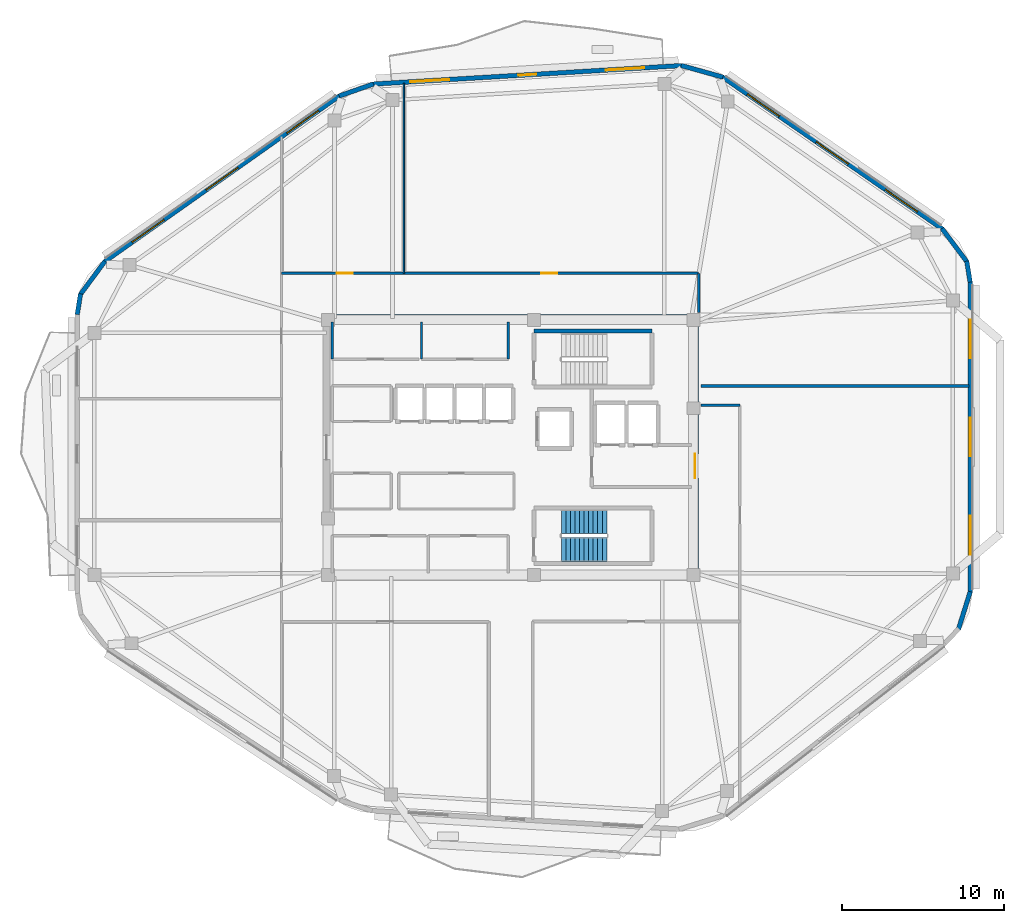
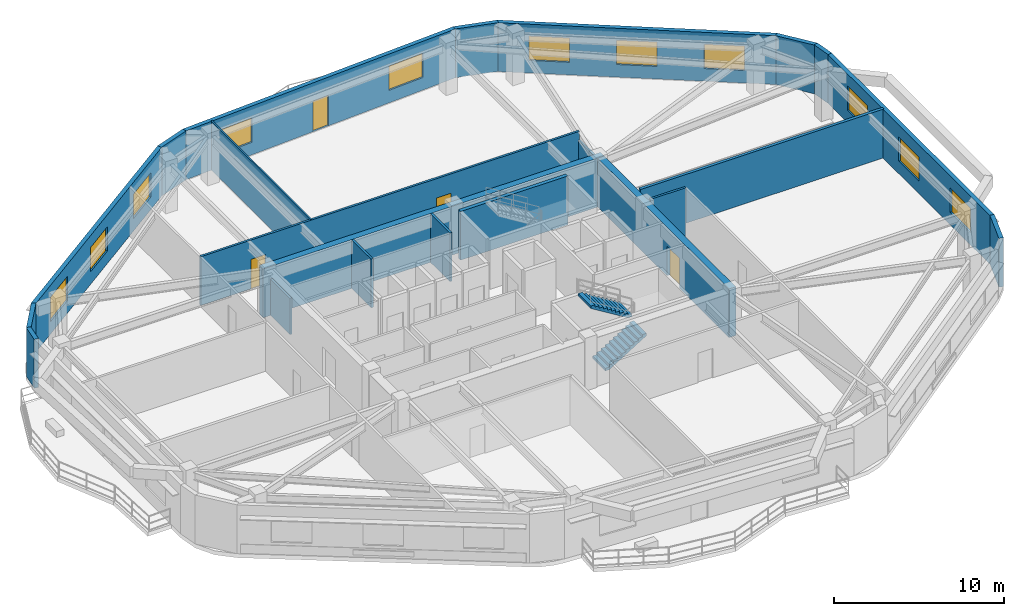
# One storey, part 5 of 9: 22 walls, 11 windows, 4 doors, 2 stair flights, 15 openings, 1 element without a shape of its own.
"""IFC4 building model written with IfcOpenShell, lengths in metres."""

from ifc_helpers import new_model, si_unit, direction, frame, frame_2d, origin, place, context, subcontext, project, spatial, polyline, rectangle, outline, extrude, material, layer, layer_set, type_object, element, fill, aggregate, save


model = new_model("IFC4")

# Units and contexts
model_context = context("Model", 3, precision=1e-05, world=origin(), true_north=direction((0.0, 1.0)))
body_context = subcontext(model_context, "Body", "Model", "MODEL_VIEW")
ifc_project = project(units=[si_unit("LENGTHUNIT", "METRE"), si_unit("AREAUNIT", "SQUARE_METRE"), si_unit("VOLUMEUNIT", "CUBIC_METRE"), si_unit("PLANEANGLEUNIT", "RADIAN"), si_unit("MASSUNIT", "GRAM", prefix="KILO")], contexts=[model_context])

# Site, building, storey
site_placement = place(None, origin())
site = spatial("IfcSite", under=ifc_project, at=site_placement, CompositionType="ELEMENT")
building_placement = place(site_placement, origin())
building = spatial("IfcBuilding", under=site, at=building_placement, Name="Zulverin Broadcast Headquarters", CompositionType="ELEMENT")
storey_placement = place(building_placement, frame((0.0, 0.0, 259.199951171875)))
storey = spatial("IfcBuildingStorey", under=building, at=storey_placement, Name="L66", CompositionType="ELEMENT", Elevation=259.199951171875)

# Walls
ifc_material_1 = material(Name="Acoustic drywall steel stud", Category="steel")
ifc_layer_1 = layer(ifc_material_1, 0.199951171875, Name="Acoustic drywall steel stud", Category="steel")
ifc_layer_set_1 = layer_set([ifc_layer_1], Name="Acoustic drywall steel stud")
wall_type_1 = type_object("IfcWallType", Name="WL-ACOU-200", PredefinedType="PARTITIONING", material=ifc_layer_set_1)
wall_1_placement = place(storey_placement, frame((48.739990234375, 29.0, 0.0), z_axis=(0.0, 0.0, 1.0), x_axis=(1.0, 0.0, 0.0)))
element("IfcWall", 1, at=wall_1_placement, inside=storey, type_object=wall_type_1, Name="L66 Room Partition Wall RP-12", PredefinedType="PARTITIONING", context=body_context, shape_type="SweptSolid", body=[
    extrude(rectangle(XDim=16.554931640625, YDim=0.199951171875, at=frame_2d((8.27734375, 0.0))), origin(), (0.0, 0.0, 1.0), 3.510009765625),
])
ifc_material_2 = material(Name="Concrete C50/60", Category="concrete")
ifc_layer_2 = layer(ifc_material_2, 0.449951171875, Name="Concrete C50/60", Category="concrete")
ifc_layer_set_2 = layer_set([ifc_layer_2], Name="Concrete C50/60")
wall_type_2 = type_object("IfcWallType", Name="WL-CORE-450", PredefinedType="SHEAR", material=ifc_layer_set_2)
wall_2_placement = place(storey_placement, frame((25.39990234375, 33.175048828125, 0.0), z_axis=(0.0, 0.0, 1.0), x_axis=(1.0, 0.0, 0.0)))
element("IfcWall", 2, at=wall_2_placement, inside=storey, type_object=wall_type_2, Name="L66 Core North Shear Wall", PredefinedType="SHEAR", context=body_context, shape_type="SweptSolid", body=[
    extrude(rectangle(XDim=23.2001953125, YDim=0.449951171875, at=frame_2d((11.60009765625, 0.0))), origin(), (0.0, 0.0, 1.0), 3.510009765625),
])

# Wall, opening, door
wall_3_placement = place(storey_placement, frame((48.375, 17.449951171875, 0.0), z_axis=(0.0, 0.0, 1.0), x_axis=(0.0, 1.0, 0.0)))
wall_3 = element("IfcWall", 3, at=wall_3_placement, inside=storey, type_object=wall_type_2, Name="L66 Core East Shear Wall", PredefinedType="SHEAR", context=body_context, shape_type="SweptSolid", body=[
    extrude(rectangle(XDim=15.5, YDim=0.449951171875, at=frame_2d((7.75, 0.0))), origin(), (0.0, 0.0, 1.0), 3.510009765625),
])
opening_1_placement = place(wall_3_placement, frame((5.85009765625, 0.0, 0.0)))
opening_1 = element("IfcOpeningElement", 4, at=opening_1_placement, cuts=wall_3, Name="Opening D-L66-CE1", PredefinedType="OPENING", context=body_context, shape_type="SweptSolid", body=[
    extrude(rectangle(XDim=1.5, YDim=2.14990234375, at=frame_2d((0.75, 1.074951171875))), frame((0.0, 0.23486328125, 0.0), z_axis=(0.0, -1.0, 0.0), x_axis=(1.0, 0.0, 0.0)), (0.0, 0.0, 1.0), 0.469970703125),
])
ifc_material_3 = material(Name="Fire-rated glazed steel frame", Category="steel")
door_type_1 = type_object("IfcDoorType", Name="DR-COR-1500", OperationType="DOUBLE_DOOR_SINGLE_SWING", PredefinedType="DOOR", material=ifc_material_3)
door_1_placement = place(opening_1_placement, origin())
door_1 = element("IfcDoor", 5, at=door_1_placement, inside=storey, type_object=door_type_1, Name="L66 Firefighting Lobby East Corridor Door", OperationType="DOUBLE_DOOR_SINGLE_SWING", OverallHeight=2.14990234375, OverallWidth=1.5, PredefinedType="DOOR", context=body_context, shape_type="SweptSolid", body=[
    extrude(rectangle(XDim=1.5, YDim=2.14990234375, at=frame_2d((0.75, 1.074951171875))), frame((0.0, 0.02490234375, 0.0), z_axis=(0.0, -1.0, 0.0), x_axis=(1.0, 0.0, 0.0)), (0.0, 0.0, 1.0), 0.050048828125),
])
fill(opening_1, door_1)

# Wall, openings, windows
ifc_material_4 = material(Name="Insulated pale-metal clad concrete spandrel C40/50", Category="concrete")
ifc_layer_3 = layer(ifc_material_4, 0.280029296875, Name="Insulated pale-metal clad concrete spandrel C40/50", Category="concrete")
ifc_layer_set_3 = layer_set([ifc_layer_3], Name="Insulated pale-metal clad concrete spandrel C40/50")
wall_type_3 = type_object("IfcWallType", Name="WL-EXT-280", PredefinedType="STANDARD", material=ifc_layer_set_3)
wall_4_placement = place(storey_placement, frame((65.360107421875, 16.2578125, 0.0), z_axis=(0.0, 0.0, 1.0), x_axis=(0.0, 1.0, 0.0)))
wall_4 = element("IfcWall", 6, at=wall_4_placement, inside=storey, type_object=wall_type_3, Name="L66 Pale-Metal Clad Spandrel Wall 3", PredefinedType="STANDARD", context=body_context, shape_type="SweptSolid", body=[
    extrude(rectangle(XDim=19.16796875, YDim=0.280029296875, at=frame_2d((9.583984375, 0.0))), origin(), (0.0, 0.0, 1.0), 3.510009765625),
])
opening_2_placement = place(wall_4_placement, frame((2.327880859375, 0.0, 0.89990234375)))
opening_2 = element("IfcOpeningElement", 7, at=opening_2_placement, cuts=wall_4, Name="Opening W-L66-E31", PredefinedType="OPENING", context=body_context, shape_type="SweptSolid", body=[
    extrude(rectangle(XDim=2.39990234375, YDim=1.75, at=frame_2d((1.199951171875, 0.875))), frame((0.0, 0.14990234375, 0.0), z_axis=(0.0, -1.0, 0.0), x_axis=(1.0, 0.0, 0.0)), (0.0, 0.0, 1.0), 0.300048828125),
])
opening_3_placement = place(wall_4_placement, frame((8.384033203125, 0.0, 0.89990234375)))
opening_3 = element("IfcOpeningElement", 8, at=opening_3_placement, cuts=wall_4, Name="Opening W-L66-E32", PredefinedType="OPENING", context=body_context, shape_type="SweptSolid", body=[
    extrude(rectangle(XDim=2.39990234375, YDim=1.75, at=frame_2d((1.199951171875, 0.875))), frame((0.0, 0.14990234375, 0.0), z_axis=(0.0, -1.0, 0.0), x_axis=(1.0, 0.0, 0.0)), (0.0, 0.0, 1.0), 0.300048828125),
])
opening_4_placement = place(wall_4_placement, frame((14.43994140625, 0.0, 0.89990234375)))
opening_4 = element("IfcOpeningElement", 9, at=opening_4_placement, cuts=wall_4, Name="Opening W-L66-E33", PredefinedType="OPENING", context=body_context, shape_type="SweptSolid", body=[
    extrude(rectangle(XDim=2.39990234375, YDim=1.75, at=frame_2d((1.199951171875, 0.875))), frame((0.0, 0.14990234375, 0.0), z_axis=(0.0, -1.0, 0.0), x_axis=(1.0, 0.0, 0.0)), (0.0, 0.0, 1.0), 0.300048828125),
])
ifc_material_5 = material(Name="Pale anodized aluminium frame with solar-control low-E double glazing", Category="aluminium")
window_type = type_object("IfcWindowType", Name="WIN-RIB-2400", PartitioningType="SINGLE_PANEL", PredefinedType="WINDOW", material=ifc_material_5)
window_1_placement = place(opening_2_placement, origin())
window_1 = element("IfcWindow", 10, at=window_1_placement, inside=storey, type_object=window_type, Name="L66 Ribbon Glazing Window 3 1", OverallHeight=1.75, OverallWidth=2.39990234375, PartitioningType="SINGLE_PANEL", PredefinedType="WINDOW", context=body_context, shape_type="SweptSolid", body=[
    extrude(rectangle(XDim=2.39990234375, YDim=1.75, at=frame_2d((1.199951171875, 0.875))), frame((0.0, 0.030029296875, 0.0), z_axis=(0.0, -1.0, 0.0), x_axis=(1.0, 0.0, 0.0)), (0.0, 0.0, 1.0), 0.06005859375),
])
fill(opening_2, window_1)
window_2_placement = place(opening_3_placement, origin())
window_2 = element("IfcWindow", 11, at=window_2_placement, inside=storey, type_object=window_type, Name="L66 Ribbon Glazing Window 3 2", OverallHeight=1.75, OverallWidth=2.39990234375, PartitioningType="SINGLE_PANEL", PredefinedType="WINDOW", context=body_context, shape_type="SweptSolid", body=[
    extrude(rectangle(XDim=2.39990234375, YDim=1.75, at=frame_2d((1.199951171875, 0.875))), frame((0.0, 0.030029296875, 0.0), z_axis=(0.0, -1.0, 0.0), x_axis=(1.0, 0.0, 0.0)), (0.0, 0.0, 1.0), 0.06005859375),
])
fill(opening_3, window_2)
window_3_placement = place(opening_4_placement, origin())
window_3 = element("IfcWindow", 12, at=window_3_placement, inside=storey, type_object=window_type, Name="L66 Ribbon Glazing Window 3 3", OverallHeight=1.75, OverallWidth=2.39990234375, PartitioningType="SINGLE_PANEL", PredefinedType="WINDOW", context=body_context, shape_type="SweptSolid", body=[
    extrude(rectangle(XDim=2.39990234375, YDim=1.75, at=frame_2d((1.199951171875, 0.875))), frame((0.0, 0.030029296875, 0.0), z_axis=(0.0, -1.0, 0.0), x_axis=(1.0, 0.0, 0.0)), (0.0, 0.0, 1.0), 0.06005859375),
])
fill(opening_4, window_3)

wall_5_placement = place(storey_placement, frame((63.6513671875, 38.683349609375, 0.0), z_axis=(0.0, 0.0, 1.0), x_axis=(-0.822655095, 0.568540759022, 0.0)))
wall_5 = element("IfcWall", 13, at=wall_5_placement, inside=storey, type_object=wall_type_3, Name="L66 Pale-Metal Clad Spandrel Wall 4", PredefinedType="STANDARD", context=body_context, shape_type="SweptSolid", body=[
    extrude(rectangle(XDim=16.52783203125, YDim=0.280029296875, at=frame_2d((8.263916015625, 0.0))), origin(), (0.0, 0.0, 1.0), 3.510009765625),
])
opening_5_placement = place(wall_5_placement, frame((1.887939453125, 0.0, 0.89990234375)))
opening_5 = element("IfcOpeningElement", 14, at=opening_5_placement, cuts=wall_5, Name="Opening W-L66-E41", PredefinedType="OPENING", context=body_context, shape_type="SweptSolid", body=[
    extrude(rectangle(XDim=2.39990234375, YDim=1.75, at=frame_2d((1.199951171875, 0.875))), frame((0.0, 0.14990234375, 0.0), z_axis=(0.0, -1.0, 0.0), x_axis=(1.0, 0.0, 0.0)), (0.0, 0.0, 1.0), 0.300048828125),
])
opening_6_placement = place(wall_5_placement, frame((7.06396484375, 0.0, 0.89990234375)))
opening_6 = element("IfcOpeningElement", 15, at=opening_6_placement, cuts=wall_5, Name="Opening W-L66-E42", PredefinedType="OPENING", context=body_context, shape_type="SweptSolid", body=[
    extrude(rectangle(XDim=2.39990234375, YDim=1.75, at=frame_2d((1.199951171875, 0.875))), frame((0.0, 0.14990234375, 0.0), z_axis=(0.0, -1.0, 0.0), x_axis=(1.0, 0.0, 0.0)), (0.0, 0.0, 1.0), 0.300048828125),
])
opening_7_placement = place(wall_5_placement, frame((12.239990234375, 0.0, 0.89990234375)))
opening_7 = element("IfcOpeningElement", 16, at=opening_7_placement, cuts=wall_5, Name="Opening W-L66-E43", PredefinedType="OPENING", context=body_context, shape_type="SweptSolid", body=[
    extrude(rectangle(XDim=2.39990234375, YDim=1.75, at=frame_2d((1.199951171875, 0.875))), frame((0.0, 0.14990234375, 0.0), z_axis=(0.0, -1.0, 0.0), x_axis=(1.0, 0.0, 0.0)), (0.0, 0.0, 1.0), 0.300048828125),
])
window_4_placement = place(opening_5_placement, origin())
window_4 = element("IfcWindow", 17, at=window_4_placement, inside=storey, type_object=window_type, Name="L66 Ribbon Glazing Window 4 1", OverallHeight=1.75, OverallWidth=2.39990234375, PartitioningType="SINGLE_PANEL", PredefinedType="WINDOW", context=body_context, shape_type="SweptSolid", body=[
    extrude(rectangle(XDim=2.39990234375, YDim=1.75, at=frame_2d((1.199951171875, 0.875))), frame((0.0, 0.030029296875, 0.0), z_axis=(0.0, -1.0, 0.0), x_axis=(1.0, 0.0, 0.0)), (0.0, 0.0, 1.0), 0.06005859375),
])
fill(opening_5, window_4)
window_5_placement = place(opening_6_placement, origin())
window_5 = element("IfcWindow", 18, at=window_5_placement, inside=storey, type_object=window_type, Name="L66 Ribbon Glazing Window 4 2", OverallHeight=1.75, OverallWidth=2.39990234375, PartitioningType="SINGLE_PANEL", PredefinedType="WINDOW", context=body_context, shape_type="SweptSolid", body=[
    extrude(rectangle(XDim=2.39990234375, YDim=1.75, at=frame_2d((1.199951171875, 0.875))), frame((0.0, 0.030029296875, 0.0), z_axis=(0.0, -1.0, 0.0), x_axis=(1.0, 0.0, 0.0)), (0.0, 0.0, 1.0), 0.06005859375),
])
fill(opening_6, window_5)
window_6_placement = place(opening_7_placement, origin())
window_6 = element("IfcWindow", 19, at=window_6_placement, inside=storey, type_object=window_type, Name="L66 Ribbon Glazing Window 4 3", OverallHeight=1.75, OverallWidth=2.39990234375, PartitioningType="SINGLE_PANEL", PredefinedType="WINDOW", context=body_context, shape_type="SweptSolid", body=[
    extrude(rectangle(XDim=2.39990234375, YDim=1.75, at=frame_2d((1.199951171875, 0.875))), frame((0.0, 0.030029296875, 0.0), z_axis=(0.0, -1.0, 0.0), x_axis=(1.0, 0.0, 0.0)), (0.0, 0.0, 1.0), 0.06005859375),
])
fill(opening_7, window_6)

# Wall, openings, door, windows
wall_6_placement = place(storey_placement, frame((47.56591796875, 48.775390625, 0.0), z_axis=(0.0, 0.0, 1.0), x_axis=(-0.998202767485, -0.059926913695, 0.0)))
wall_6 = element("IfcWall", 20, at=wall_6_placement, inside=storey, type_object=wall_type_3, Name="L66 Pale-Metal Clad Spandrel Wall 5", PredefinedType="STANDARD", context=body_context, shape_type="SweptSolid", body=[
    extrude(rectangle(XDim=19.111083984375, YDim=0.280029296875, at=frame_2d((9.5556640625, 0.0))), origin(), (0.0, 0.0, 1.0), 3.510009765625),
])
opening_8_placement = place(wall_6_placement, frame((9.00537109375, 0.0, 0.0)))
opening_8 = element("IfcOpeningElement", 21, at=opening_8_placement, cuts=wall_6, Name="Opening D-L66-TR5", PredefinedType="OPENING", context=body_context, shape_type="SweptSolid", body=[
    extrude(rectangle(XDim=1.10009765625, YDim=2.199951171875, at=frame_2d((0.550048828125, 1.10009765625))), frame((0.0, 0.14990234375, 0.0), z_axis=(0.0, -1.0, 0.0), x_axis=(1.0, 0.0, 0.0)), (0.0, 0.0, 1.0), 0.300048828125),
])
opening_9_placement = place(wall_6_placement, frame((2.318603515625, 0.0, 0.89990234375)))
opening_9 = element("IfcOpeningElement", 22, at=opening_9_placement, cuts=wall_6, Name="Opening W-L66-E51", PredefinedType="OPENING", context=body_context, shape_type="SweptSolid", body=[
    extrude(rectangle(XDim=2.39990234375, YDim=1.75, at=frame_2d((1.199951171875, 0.875))), frame((0.0, 0.14990234375, 0.0), z_axis=(0.0, -1.0, 0.0), x_axis=(1.0, 0.0, 0.0)), (0.0, 0.0, 1.0), 0.300048828125),
])
opening_10_placement = place(wall_6_placement, frame((14.392333984375, 0.0, 0.89990234375)))
opening_10 = element("IfcOpeningElement", 23, at=opening_10_placement, cuts=wall_6, Name="Opening W-L66-E52", PredefinedType="OPENING", context=body_context, shape_type="SweptSolid", body=[
    extrude(rectangle(XDim=2.39990234375, YDim=1.75, at=frame_2d((1.199951171875, 0.875))), frame((0.0, 0.14990234375, 0.0), z_axis=(0.0, -1.0, 0.0), x_axis=(1.0, 0.0, 0.0)), (0.0, 0.0, 1.0), 0.300048828125),
])
ifc_material_6 = material(Name="Thermally broken aluminium glazed", Category="aluminium")
door_type_2 = type_object("IfcDoorType", Name="DR-TERR-1100", OperationType="SINGLE_SWING_RIGHT", PredefinedType="DOOR", material=ifc_material_6)
door_2_placement = place(opening_8_placement, origin())
door_2 = element("IfcDoor", 24, at=door_2_placement, inside=storey, type_object=door_type_2, Name="L66 Planted Terrace Glazed Access Door 5", OperationType="SINGLE_SWING_RIGHT", OverallHeight=2.199951171875, OverallWidth=1.10009765625, PredefinedType="DOOR", context=body_context, shape_type="SweptSolid", body=[
    extrude(rectangle(XDim=1.10009765625, YDim=2.199951171875, at=frame_2d((0.550048828125, 1.10009765625))), frame((0.0, 0.02490234375, 0.0), z_axis=(0.0, -1.0, 0.0), x_axis=(1.0, 0.0, 0.0)), (0.0, 0.0, 1.0), 0.050048828125),
])
fill(opening_8, door_2)
window_7_placement = place(opening_9_placement, origin())
window_7 = element("IfcWindow", 25, at=window_7_placement, inside=storey, type_object=window_type, Name="L66 Ribbon Glazing Window 5 1", OverallHeight=1.75, OverallWidth=2.39990234375, PartitioningType="SINGLE_PANEL", PredefinedType="WINDOW", context=body_context, shape_type="SweptSolid", body=[
    extrude(rectangle(XDim=2.39990234375, YDim=1.75, at=frame_2d((1.199951171875, 0.875))), frame((0.0, 0.030029296875, 0.0), z_axis=(0.0, -1.0, 0.0), x_axis=(1.0, 0.0, 0.0)), (0.0, 0.0, 1.0), 0.06005859375),
])
fill(opening_9, window_7)
window_8_placement = place(opening_10_placement, origin())
window_8 = element("IfcWindow", 26, at=window_8_placement, inside=storey, type_object=window_type, Name="L66 Ribbon Glazing Window 5 2", OverallHeight=1.75, OverallWidth=2.39990234375, PartitioningType="SINGLE_PANEL", PredefinedType="WINDOW", context=body_context, shape_type="SweptSolid", body=[
    extrude(rectangle(XDim=2.39990234375, YDim=1.75, at=frame_2d((1.199951171875, 0.875))), frame((0.0, 0.030029296875, 0.0), z_axis=(0.0, -1.0, 0.0), x_axis=(1.0, 0.0, 0.0)), (0.0, 0.0, 1.0), 0.06005859375),
])
fill(opening_10, window_8)

# Wall, openings, windows
wall_7_placement = place(storey_placement, frame((26.443115234375, 46.91259765625, 0.0), z_axis=(0.0, 0.0, 1.0), x_axis=(-0.817024179766, -0.576603407619, 0.0)))
wall_7 = element("IfcWall", 27, at=wall_7_placement, inside=storey, type_object=wall_type_3, Name="L66 Pale-Metal Clad Spandrel Wall 6", PredefinedType="STANDARD", context=body_context, shape_type="SweptSolid", body=[
    extrude(rectangle(XDim=17.77978515625, YDim=0.280029296875, at=frame_2d((8.889892578125, 0.0))), origin(), (0.0, 0.0, 1.0), 3.510009765625),
])
opening_11_placement = place(wall_7_placement, frame((1.5966796875, 0.0, 0.89990234375)))
opening_11 = element("IfcOpeningElement", 28, at=opening_11_placement, cuts=wall_7, Name="Opening W-L66-E61", PredefinedType="OPENING", context=body_context, shape_type="SweptSolid", body=[
    extrude(rectangle(XDim=2.39990234375, YDim=1.75, at=frame_2d((1.199951171875, 0.875))), frame((0.0, 0.14990234375, 0.0), z_axis=(0.0, -1.0, 0.0), x_axis=(1.0, 0.0, 0.0)), (0.0, 0.0, 1.0), 0.300048828125),
])
opening_12_placement = place(wall_7_placement, frame((7.68994140625, 0.0, 0.89990234375)))
opening_12 = element("IfcOpeningElement", 29, at=opening_12_placement, cuts=wall_7, Name="Opening W-L66-E62", PredefinedType="OPENING", context=body_context, shape_type="SweptSolid", body=[
    extrude(rectangle(XDim=2.39990234375, YDim=1.75, at=frame_2d((1.199951171875, 0.875))), frame((0.0, 0.14990234375, 0.0), z_axis=(0.0, -1.0, 0.0), x_axis=(1.0, 0.0, 0.0)), (0.0, 0.0, 1.0), 0.300048828125),
])
opening_13_placement = place(wall_7_placement, frame((13.283203125, 0.0, 0.89990234375)))
opening_13 = element("IfcOpeningElement", 30, at=opening_13_placement, cuts=wall_7, Name="Opening W-L66-E63", PredefinedType="OPENING", context=body_context, shape_type="SweptSolid", body=[
    extrude(rectangle(XDim=2.39990234375, YDim=1.75, at=frame_2d((1.199951171875, 0.875))), frame((0.0, 0.14990234375, 0.0), z_axis=(0.0, -1.0, 0.0), x_axis=(1.0, 0.0, 0.0)), (0.0, 0.0, 1.0), 0.300048828125),
])
window_9_placement = place(opening_11_placement, origin())
window_9 = element("IfcWindow", 31, at=window_9_placement, inside=storey, type_object=window_type, Name="L66 Ribbon Glazing Window 6 1", OverallHeight=1.75, OverallWidth=2.39990234375, PartitioningType="SINGLE_PANEL", PredefinedType="WINDOW", context=body_context, shape_type="SweptSolid", body=[
    extrude(rectangle(XDim=2.39990234375, YDim=1.75, at=frame_2d((1.199951171875, 0.875))), frame((0.0, 0.030029296875, 0.0), z_axis=(0.0, -1.0, 0.0), x_axis=(1.0, 0.0, 0.0)), (0.0, 0.0, 1.0), 0.06005859375),
])
fill(opening_11, window_9)
window_10_placement = place(opening_12_placement, origin())
window_10 = element("IfcWindow", 32, at=window_10_placement, inside=storey, type_object=window_type, Name="L66 Ribbon Glazing Window 6 2", OverallHeight=1.75, OverallWidth=2.39990234375, PartitioningType="SINGLE_PANEL", PredefinedType="WINDOW", context=body_context, shape_type="SweptSolid", body=[
    extrude(rectangle(XDim=2.39990234375, YDim=1.75, at=frame_2d((1.199951171875, 0.875))), frame((0.0, 0.030029296875, 0.0), z_axis=(0.0, -1.0, 0.0), x_axis=(1.0, 0.0, 0.0)), (0.0, 0.0, 1.0), 0.06005859375),
])
fill(opening_12, window_10)
window_11_placement = place(opening_13_placement, origin())
window_11 = element("IfcWindow", 33, at=window_11_placement, inside=storey, type_object=window_type, Name="L66 Ribbon Glazing Window 6 3", OverallHeight=1.75, OverallWidth=2.39990234375, PartitioningType="SINGLE_PANEL", PredefinedType="WINDOW", context=body_context, shape_type="SweptSolid", body=[
    extrude(rectangle(XDim=2.39990234375, YDim=1.75, at=frame_2d((1.199951171875, 0.875))), frame((0.0, 0.030029296875, 0.0), z_axis=(0.0, -1.0, 0.0), x_axis=(1.0, 0.0, 0.0)), (0.0, 0.0, 1.0), 0.06005859375),
])
fill(opening_13, window_11)

# Walls
wall_8_placement = place(storey_placement, frame((64.635009765625, 13.962158203125, 0.0), z_axis=(0.0, 0.0, 1.0), x_axis=(0.298649578722, 0.954362839348, 0.0)))
element("IfcWall", 34, at=wall_8_placement, inside=storey, type_object=wall_type_3, Name="L66 Wind-Shaped Corner Spandrel Wall 2-2", PredefinedType="STANDARD", context=body_context, shape_type="SweptSolid", body=[
    extrude(rectangle(XDim=2.44921875, YDim=0.280029296875, at=frame_2d((1.224609375, 0.0))), origin(), (0.0, 0.0, 1.0), 3.510009765625),
])
wall_9_placement = place(storey_placement, frame((65.36181640625, 35.4033203125, 0.0), z_axis=(0.0, 0.0, 1.0), x_axis=(-0.160271674114, 0.987072940809, 0.0)))
element("IfcWall", 35, at=wall_9_placement, inside=storey, type_object=wall_type_3, Name="L66 Wind-Shaped Corner Spandrel Wall 3-1", PredefinedType="STANDARD", context=body_context, shape_type="SweptSolid", body=[
    extrude(rectangle(XDim=1.314697265625, YDim=0.280029296875, at=frame_2d((0.6572265625, 0.0))), origin(), (0.0, 0.0, 1.0), 3.510009765625),
])
wall_10_placement = place(storey_placement, frame((65.17724609375, 36.63916015625, 0.0), z_axis=(0.0, 0.0, 1.0), x_axis=(-0.600436386467, 0.799672524104, 0.0)))
element("IfcWall", 36, at=wall_10_placement, inside=storey, type_object=wall_type_3, Name="L66 Wind-Shaped Corner Spandrel Wall 3-2", PredefinedType="STANDARD", context=body_context, shape_type="SweptSolid", body=[
    extrude(rectangle(XDim=2.595458984375, YDim=0.280029296875, at=frame_2d((1.2978515625, 0.0))), origin(), (0.0, 0.0, 1.0), 3.510009765625),
])
wall_11_placement = place(storey_placement, frame((50.096435546875, 48.060546875, 0.0), z_axis=(0.0, 0.0, 1.0), x_axis=(-0.963108887091, 0.269112005688, 0.0)))
element("IfcWall", 37, at=wall_11_placement, inside=storey, type_object=wall_type_3, Name="L66 Wind-Shaped Corner Spandrel Wall 4-1", PredefinedType="STANDARD", context=body_context, shape_type="SweptSolid", body=[
    extrude(rectangle(XDim=2.67529296875, YDim=0.280029296875, at=frame_2d((1.337646484375, 0.0))), origin(), (0.0, 0.0, 1.0), 3.510009765625),
])
wall_12_placement = place(storey_placement, frame((28.527099609375, 47.6376953125, 0.0), z_axis=(0.0, 0.0, 1.0), x_axis=(-0.943686979207, -0.330839667022, 0.0)))
element("IfcWall", 38, at=wall_12_placement, inside=storey, type_object=wall_type_3, Name="L66 Wind-Shaped Corner Spandrel Wall 5-1", PredefinedType="STANDARD", context=body_context, shape_type="SweptSolid", body=[
    extrude(rectangle(XDim=2.244873046875, YDim=0.280029296875, at=frame_2d((1.12255859375, 0.0))), origin(), (0.0, 0.0, 1.0), 3.510009765625),
])
wall_13_placement = place(storey_placement, frame((11.948486328125, 36.69189453125, 0.0), z_axis=(0.0, 0.0, 1.0), x_axis=(-0.595170751493, -0.803599263668, 0.0)))
element("IfcWall", 39, at=wall_13_placement, inside=storey, type_object=wall_type_3, Name="L66 Wind-Shaped Corner Spandrel Wall 6-1", PredefinedType="STANDARD", context=body_context, shape_type="SweptSolid", body=[
    extrude(rectangle(XDim=2.56982421875, YDim=0.280029296875, at=frame_2d((1.284912109375, 0.0))), origin(), (0.0, 0.0, 1.0), 3.510009765625),
])
wall_14_placement = place(storey_placement, frame((10.444580078125, 34.68798828125, 0.0), z_axis=(0.0, 0.0, 1.0), x_axis=(-0.158524605336, -0.987355027081, 0.0)))
element("IfcWall", 40, at=wall_14_placement, inside=storey, type_object=wall_type_3, Name="L66 Wind-Shaped Corner Spandrel Wall 6-2", PredefinedType="STANDARD", context=body_context, shape_type="SweptSolid", body=[
    extrude(rectangle(XDim=1.30126953125, YDim=0.280029296875, at=frame_2d((0.650634765625, 0.0))), origin(), (0.0, 0.0, 1.0), 3.510009765625),
])
ifc_material_7 = material(Name="Fire-rated acoustic laminated glass screen", Category="glass")
ifc_layer_4 = layer(ifc_material_7, 0.10009765625, Name="Fire-rated acoustic laminated glass screen", Category="glass")
ifc_layer_set_4 = layer_set([ifc_layer_4], Name="Fire-rated acoustic laminated glass screen")
wall_type_4 = type_object("IfcWallType", Name="WL-GLAZ-100", PredefinedType="PARTITIONING", material=ifc_layer_set_4)
wall_15_placement = place(storey_placement, frame((30.39990234375, 35.949951171875, 0.0), z_axis=(0.0, 0.0, 1.0), x_axis=(0.0, 1.0, 0.0)))
element("IfcWall", 41, at=wall_15_placement, inside=storey, type_object=wall_type_4, Name="L66 Room Partition Wall RP-05", PredefinedType="PARTITIONING", context=body_context, shape_type="SweptSolid", body=[
    extrude(rectangle(XDim=11.730224609375, YDim=0.10009765625, at=frame_2d((5.865234375, 0.0))), origin(), (0.0, 0.0, 1.0), 3.510009765625),
])
ifc_material_8 = material(Name="Fire-rated gypsum stud partition", Category="gypsum")
ifc_layer_5 = layer(ifc_material_8, 0.14990234375, Name="Fire-rated gypsum stud partition", Category="gypsum")
ifc_layer_set_5 = layer_set([ifc_layer_5], Name="Fire-rated gypsum stud partition")
wall_type_5 = type_object("IfcWallType", Name="WL-PART-150", PredefinedType="PARTITIONING", material=ifc_layer_set_5)
wall_16_placement = place(storey_placement, frame((25.969970703125, 30.64990234375, 0.0), z_axis=(0.0, 0.0, 1.0), x_axis=(0.0, 1.0, 0.0)))
element("IfcWall", 42, at=wall_16_placement, inside=storey, type_object=wall_type_5, Name="L66 Core Male WC West Wall", PredefinedType="PARTITIONING", context=body_context, shape_type="SweptSolid", body=[
    extrude(rectangle(XDim=2.300048828125, YDim=0.14990234375, at=frame_2d((1.14990234375, 0.0))), origin(), (0.0, 0.0, 1.0), 2.610107421875),
])
for number, where, z_axis, x_axis, name in (
    (43, (31.489990234375, 30.64990234375, 0.0), (0.0, 0.0, 1.0), (0.0, 1.0, 0.0), "L66 Core Accessible WC West Wall"),
    (44, (36.85009765625, 30.64990234375, 0.0), (0.0, 0.0, 1.0), (0.0, 1.0, 0.0), "L66 Core Accessible WC East Wall"),
):
    element("IfcWall", number, at=place(storey_placement, frame(where, z_axis=z_axis, x_axis=x_axis)), inside=storey, type_object=wall_type_5, Name=name, PredefinedType="PARTITIONING", context=body_context, shape_type="SweptSolid", body=[
        extrude(rectangle(XDim=2.300048828125, YDim=0.14990234375, at=frame_2d((1.14990234375, 0.0))), origin(), (0.0, 0.0, 1.0), 3.510009765625),
    ])
wall_17_placement = place(storey_placement, frame((48.60009765625, 33.5400390625, 0.0), z_axis=(0.0, 0.0, 1.0), x_axis=(0.0, 1.0, 0.0)))
element("IfcWall", 45, at=wall_17_placement, inside=storey, type_object=wall_type_5, Name="L66 Gallery Partition Wall CG-02", PredefinedType="PARTITIONING", context=body_context, shape_type="SweptSolid", body=[
    extrude(rectangle(XDim=2.409912109375, YDim=0.14990234375, at=frame_2d((1.205078125, 0.0))), origin(), (0.0, 0.0, 1.0), 2.892822265625),
])
wall_18_placement = place(storey_placement, frame((48.739990234375, 27.800048828125, 0.0), z_axis=(0.0, 0.0, 1.0), x_axis=(1.0, 0.0, 0.0)))
element("IfcWall", 46, at=wall_18_placement, inside=storey, type_object=wall_type_5, Name="L66 Gallery Partition Wall CG-10", PredefinedType="PARTITIONING", context=body_context, shape_type="SweptSolid", body=[
    extrude(rectangle(XDim=2.409912109375, YDim=0.14990234375, at=frame_2d((1.205078125, 0.0))), origin(), (0.0, 0.0, 1.0), 3.510009765625),
])

# Wall, openings, doors
wall_19_placement = place(storey_placement, frame((22.85009765625, 35.949951171875, 0.0), z_axis=(0.0, 0.0, 1.0), x_axis=(1.0, 0.0, 0.0)))
wall_19 = element("IfcWall", 47, at=wall_19_placement, inside=storey, type_object=wall_type_5, Name="L66 Gallery Partition Wall CG-13", PredefinedType="PARTITIONING", context=body_context, shape_type="SweptSolid", body=[
    extrude(rectangle(XDim=25.75, YDim=0.14990234375, at=frame_2d((12.875, 0.0))), origin(), (0.0, 0.0, 1.0), 3.510009765625),
])
opening_14_placement = place(wall_19_placement, frame((3.39501953125, 0.0, 0.0)))
opening_14 = element("IfcOpeningElement", 48, at=opening_14_placement, cuts=wall_19, Name="Opening D-L66-01", PredefinedType="OPENING", context=body_context, shape_type="SweptSolid", body=[
    extrude(rectangle(XDim=1.0, YDim=2.1201171875, at=frame_2d((0.5, 1.06005859375))), frame((0.0, 0.0849609375, 0.0), z_axis=(0.0, -1.0, 0.0), x_axis=(1.0, 0.0, 0.0)), (0.0, 0.0, 1.0), 0.169921875),
])
opening_15_placement = place(wall_19_placement, frame((16.030029296875, 0.0, 0.0)))
opening_15 = element("IfcOpeningElement", 49, at=opening_15_placement, cuts=wall_19, Name="Opening D-L66-02", PredefinedType="OPENING", context=body_context, shape_type="SweptSolid", body=[
    extrude(rectangle(XDim=1.0, YDim=2.1201171875, at=frame_2d((0.5, 1.06005859375))), frame((0.0, 0.0849609375, 0.0), z_axis=(0.0, -1.0, 0.0), x_axis=(1.0, 0.0, 0.0)), (0.0, 0.0, 1.0), 0.169921875),
])
ifc_material_9 = material(Name="Hardwood veneer acoustic leaf", Category="wood")
door_type_3 = type_object("IfcDoorType", Name="DR-OFF-1000", OperationType="SINGLE_SWING_LEFT", PredefinedType="DOOR", material=ifc_material_9)
door_3_placement = place(opening_14_placement, origin())
door_3 = element("IfcDoor", 50, at=door_3_placement, inside=storey, type_object=door_type_3, Name="L66 Executive Producer Office Door", OperationType="SINGLE_SWING_RIGHT", OverallHeight=2.1201171875, OverallWidth=1.0, PredefinedType="DOOR", context=body_context, shape_type="SweptSolid", body=[
    extrude(rectangle(XDim=1.0, YDim=2.1201171875, at=frame_2d((0.5, 1.06005859375))), frame((0.0, 0.02490234375, 0.0), z_axis=(0.0, -1.0, 0.0), x_axis=(1.0, 0.0, 0.0)), (0.0, 0.0, 1.0), 0.050048828125),
])
fill(opening_14, door_3)
door_4_placement = place(opening_15_placement, origin())
door_4 = element("IfcDoor", 51, at=door_4_placement, inside=storey, type_object=door_type_3, Name="L66 Editorial Director Office Door", OperationType="SINGLE_SWING_LEFT", OverallHeight=2.1201171875, OverallWidth=1.0, PredefinedType="DOOR", context=body_context, shape_type="SweptSolid", body=[
    extrude(rectangle(XDim=1.0, YDim=2.1201171875, at=frame_2d((0.5, 1.06005859375))), frame((0.0, 0.02490234375, 0.0), z_axis=(0.0, -1.0, 0.0), x_axis=(1.0, 0.0, 0.0)), (0.0, 0.0, 1.0), 0.050048828125),
])
fill(opening_15, door_4)

# Wall
ifc_layer_6 = layer(ifc_material_2, 0.25, Name="Concrete C50/60", Category="concrete")
ifc_layer_set_6 = layer_set([ifc_layer_6], Name="Concrete C50/60")
wall_type_6 = type_object("IfcWallType", Name="WL-SHAFT-250", PredefinedType="SHEAR", material=ifc_layer_set_6)
wall_20_placement = place(storey_placement, frame((38.425048828125, 32.375, 0.0), z_axis=(0.0, 0.0, 1.0), x_axis=(1.0, 0.0, 0.0)))
element("IfcWall", 52, at=wall_20_placement, inside=storey, type_object=wall_type_6, Name="L66 ST-1 Enclosure Wall N", PredefinedType="SHEAR", context=body_context, shape_type="SweptSolid", body=[
    extrude(rectangle(XDim=7.300048828125, YDim=0.25, at=frame_2d((3.64990234375, 0.0))), origin(), (0.0, 0.0, 1.0), 3.510009765625),
])

# Stair, stair flights
ifc_material_10 = material(Name="Concrete C40/50", Category="concrete")
stair_type = type_object("IfcStairType", Name="ST-CORE-1500", PredefinedType="HALF_TURN_STAIR", material=ifc_material_10)
stair_placement = place(storey_placement, origin())
stair = element("IfcStair", 53, at=stair_placement, inside=storey, type_object=stair_type, Name="L66 Core Exit Stair ST-2", PredefinedType="HALF_TURN_STAIR")
stair_flight_type = type_object("IfcStairFlightType", Name="SF-CORE-1500", PredefinedType="STRAIGHT", material=ifc_material_10)
stair_flight_1_placement = place(storey_placement, frame((40.1298828125, 18.89990234375, 0.0), z_axis=(0.0, 0.0, 1.0), x_axis=(1.0, 0.0, 0.0)))
stair_flight_1 = element("IfcStairFlight", 54, at=stair_flight_1_placement, type_object=stair_flight_type, Name="ST-2 flight 1", NumberOfRisers=11, NumberOfTreads=10, PredefinedType="STRAIGHT", RiserHeight=0.172727273, TreadLength=0.28, context=body_context, shape_type="SweptSolid", body=[
    extrude(outline(polyline([(0.0, 0.0), (0.0, 0.172607421875), (0.280029296875, 0.172607421875), (0.280029296875, 0.345458984375), (0.56005859375, 0.345458984375), (0.56005859375, 0.51806640625), (0.840087890625, 0.51806640625), (0.840087890625, 0.69091796875), (1.1201171875, 0.69091796875), (1.1201171875, 0.863525390625), (1.39990234375, 0.863525390625), (1.39990234375, 1.036376953125), (1.679931640625, 1.036376953125), (1.679931640625, 1.208984375), (1.9599609375, 1.208984375), (1.9599609375, 1.3818359375), (2.239990234375, 1.3818359375), (2.239990234375, 1.554443359375), (2.52001953125, 1.554443359375), (2.52001953125, 1.727294921875), (2.800048828125, 1.727294921875), (2.800048828125, 1.89990234375), (2.800048828125, 1.551025390625), (0.285400390625, 0.0), (0.0, 0.0)])), frame((0.0, 0.75, 0.0), z_axis=(0.0, -1.0, 0.0), x_axis=(1.0, 0.0, 0.0)), (0.0, 0.0, 1.0), 1.5),
])
stair_flight_2_placement = place(storey_placement, frame((42.929931640625, 20.60009765625, 1.900146484375), z_axis=(0.0, 0.0, 1.0), x_axis=(-1.0, 0.0, 0.0)))
stair_flight_2 = element("IfcStairFlight", 55, at=stair_flight_2_placement, type_object=stair_flight_type, Name="ST-2 flight 2", NumberOfRisers=11, NumberOfTreads=10, PredefinedType="STRAIGHT", RiserHeight=0.172727273, TreadLength=0.28, context=body_context, shape_type="SweptSolid", body=[
    extrude(outline(polyline([(0.0, 0.0), (0.0, 0.172607421875), (0.280029296875, 0.172607421875), (0.280029296875, 0.345458984375), (0.56005859375, 0.345458984375), (0.56005859375, 0.51806640625), (0.840087890625, 0.51806640625), (0.840087890625, 0.69091796875), (1.1201171875, 0.69091796875), (1.1201171875, 0.863525390625), (1.39990234375, 0.863525390625), (1.39990234375, 1.036376953125), (1.679931640625, 1.036376953125), (1.679931640625, 1.208984375), (1.9599609375, 1.208984375), (1.9599609375, 1.3818359375), (2.239990234375, 1.3818359375), (2.239990234375, 1.554443359375), (2.52001953125, 1.554443359375), (2.52001953125, 1.727294921875), (2.800048828125, 1.727294921875), (2.800048828125, 1.89990234375), (2.800048828125, 1.551025390625), (0.285400390625, 0.0), (0.0, 0.0)])), frame((0.0, 0.75, 0.0), z_axis=(0.0, -1.0, 0.0), x_axis=(1.0, 0.0, 0.0)), (0.0, 0.0, 1.0), 1.5),
])
aggregate(stair, [stair_flight_1, stair_flight_2])

save(model, "model.ifc")
